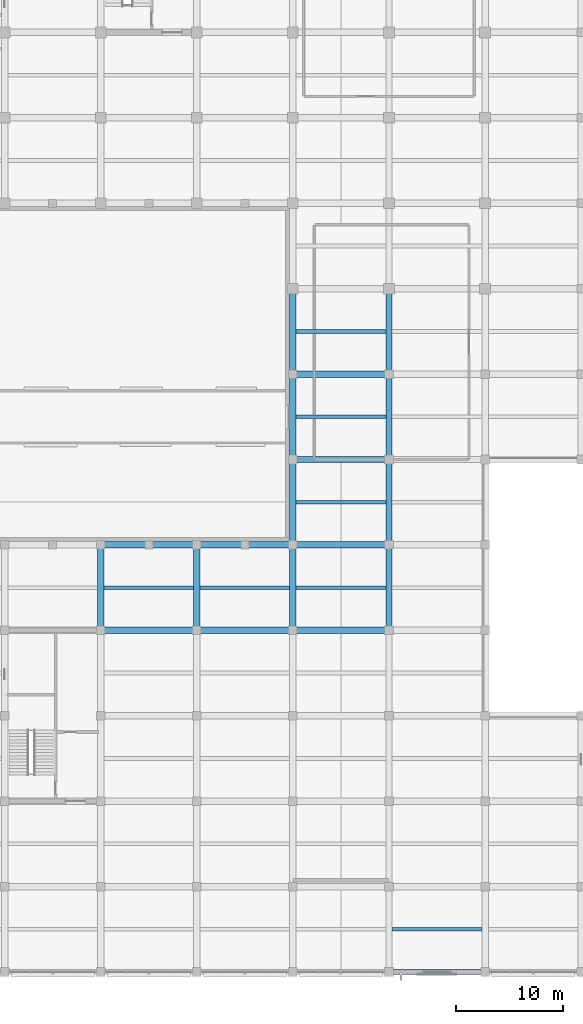
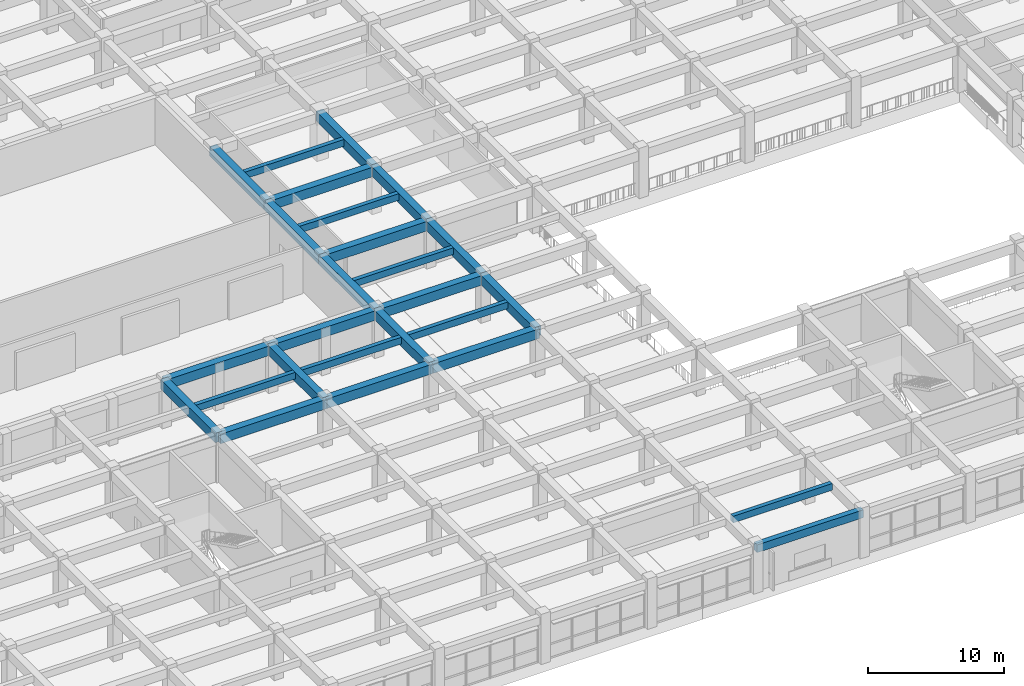
# One storey, part 8 of 50: 26 beams.
"""IFC4 building model written with IfcOpenShell, lengths in metres."""

from ifc_helpers import new_model, si_unit, direction, frame, origin, origin_2d, place, context, subcontext, project, spatial, rectangle, extrude, material, material_profile, profile_set, type_object, element, save


model = new_model("IFC4")

# Units and contexts
model_context = context("Model", 3, precision=1e-05, world=origin(), true_north=direction((0.0, 1.0)))
body_context = subcontext(model_context, "Body", "Model", "MODEL_VIEW")
ifc_project = project(units=[si_unit("LENGTHUNIT", "METRE"), si_unit("AREAUNIT", "SQUARE_METRE"), si_unit("VOLUMEUNIT", "CUBIC_METRE"), si_unit("PLANEANGLEUNIT", "RADIAN"), si_unit("MASSUNIT", "GRAM", prefix="KILO")], contexts=[model_context])

# Site, building, storey
site_placement = place(None, origin())
site = spatial("IfcSite", under=ifc_project, at=site_placement, CompositionType="ELEMENT")
building_placement = place(site_placement, origin())
building = spatial("IfcBuilding", under=site, at=building_placement, Name="Zaverband Oceanarium and Marine Research Institute", CompositionType="ELEMENT")
storey_placement = place(building_placement, frame((0.0, 0.0, 4.5)))
storey = spatial("IfcBuildingStorey", under=building, at=storey_placement, Name="L01", CompositionType="ELEMENT", Elevation=4.5)

# Beams
ifc_material = material(Name="Concrete C40/50", Category="concrete")
ifc_material_profile_1 = material_profile(ifc_material, rectangle(XDim=0.60009765625, YDim=0.85009765625, at=origin_2d()), Name="RC600x850")
ifc_profile_set_1 = profile_set([ifc_material_profile_1], Name="Concrete C40/50")
beam_type_1 = type_object("IfcBeamType", Name="BM-600x850", PredefinedType="BEAM", material=ifc_profile_set_1)
for number, where, z_axis, x_axis, name in (
    (1, (36.0, 32.0, 3.7548828125), (1.0, 0.0, 0.0), (0.0, 1.0, 0.0), "Primary floor girder BM-600x850"),
    (2, (45.0, 32.0, 3.7548828125), (1.0, 0.0, 0.0), (0.0, 1.0, 0.0), "Primary floor girder BM-600x850"),
    (3, (54.0, 32.0, 3.7548828125), (1.0, 0.0, 0.0), (0.0, 1.0, 0.0), "Primary floor girder BM-600x850"),
    (4, (36.0, 40.0, 3.7548828125), (1.0, 0.0, 0.0), (0.0, 1.0, 0.0), "Primary floor girder BM-600x850"),
    (5, (45.0, 40.0, 3.7548828125), (1.0, 0.0, 0.0), (0.0, 1.0, 0.0), "Primary floor girder BM-600x850"),
    (6, (54.0, 40.0, 3.7548828125), (1.0, 0.0, 0.0), (0.0, 1.0, 0.0), "Primary floor girder BM-600x850"),
    (7, (54.0, 48.0, 3.7548828125), (1.0, 0.0, 0.0), (0.0, 1.0, 0.0), "Primary floor girder BM-600x850"),
    (8, (54.0, 56.0, 3.7548828125), (1.0, 0.0, 0.0), (0.0, 1.0, 0.0), "Primary floor girder BM-600x850"),
):
    element("IfcBeam", number, at=place(storey_placement, frame(where, z_axis=z_axis, x_axis=x_axis)), inside=storey, type_object=beam_type_1, Name=name, PredefinedType="BEAM", context=body_context, shape_type="SweptSolid", body=[
        extrude(rectangle(XDim=0.60009765625, YDim=0.85009765625, at=origin_2d()), origin(), (0.0, 0.0, 1.0), 9.0),
    ])
for number, where, z_axis, x_axis, name in (
    (9, (36.0, 32.0, 3.7548828125), (0.0, 1.0, 0.0), (-1.0, 0.0, 0.0), "Primary floor girder BM-600x850"),
    (10, (45.0, 32.0, 3.7548828125), (0.0, 1.0, 0.0), (-1.0, 0.0, 0.0), "Primary floor girder BM-600x850"),
    (11, (54.0, 32.0, 3.7548828125), (0.0, 1.0, 0.0), (-1.0, 0.0, 0.0), "Primary floor girder BM-600x850"),
    (12, (54.0, 40.0, 3.7548828125), (0.0, 1.0, 0.0), (-1.0, 0.0, 0.0), "Primary floor girder BM-600x850"),
    (13, (54.0, 48.0, 3.7548828125), (0.0, 1.0, 0.0), (-1.0, 0.0, 0.0), "Primary floor girder BM-600x850"),
    (14, (54.0, 56.0, 3.7548828125), (0.0, 1.0, 0.0), (-1.0, 0.0, 0.0), "Primary floor girder BM-600x850"),
    (15, (63.0, 32.0, 3.7548828125), (0.0, 1.0, 0.0), (-1.0, 0.0, 0.0), "Primary floor girder BM-600x850"),
    (16, (63.0, 40.0, 3.7548828125), (0.0, 1.0, 0.0), (-1.0, 0.0, 0.0), "Primary floor girder BM-600x850"),
    (17, (63.0, 48.0, 3.7548828125), (0.0, 1.0, 0.0), (-1.0, 0.0, 0.0), "Primary floor girder BM-600x850"),
    (18, (63.0, 56.0, 3.7548828125), (0.0, 1.0, 0.0), (-1.0, 0.0, 0.0), "Primary floor girder BM-600x850"),
):
    element("IfcBeam", number, at=place(storey_placement, frame(where, z_axis=z_axis, x_axis=x_axis)), inside=storey, type_object=beam_type_1, Name=name, PredefinedType="BEAM", context=body_context, shape_type="SweptSolid", body=[
        extrude(rectangle(XDim=0.60009765625, YDim=0.85009765625, at=origin_2d()), origin(), (0.0, 0.0, 1.0), 8.0),
    ])
ifc_material_profile_2 = material_profile(ifc_material, rectangle(XDim=0.35009765625, YDim=0.60009765625, at=origin_2d()), Name="RC350x600")
ifc_profile_set_2 = profile_set([ifc_material_profile_2], Name="Concrete C40/50")
beam_type_2 = type_object("IfcBeamType", Name="JST-350x600", PredefinedType="JOIST", material=ifc_profile_set_2)
for number, where, z_axis, x_axis, name in (
    (19, (36.300048828125, 36.0, 3.8798828125), (1.0, 0.0, 0.0), (0.0, 1.0, 0.0), "Secondary floor joist JST-350x600"),
    (20, (45.300048828125, 36.0, 3.8798828125), (1.0, 0.0, 0.0), (0.0, 1.0, 0.0), "Secondary floor joist JST-350x600"),
    (21, (54.300048828125, 36.0, 3.8798828125), (1.0, 0.0, 0.0), (0.0, 1.0, 0.0), "Secondary floor joist JST-350x600"),
    (22, (54.300048828125, 44.0, 3.8798828125), (1.0, 0.0, 0.0), (0.0, 1.0, 0.0), "Secondary floor joist JST-350x600"),
    (23, (54.300048828125, 52.0, 3.8798828125), (1.0, 0.0, 0.0), (0.0, 1.0, 0.0), "Secondary floor joist JST-350x600"),
    (24, (54.300048828125, 60.0, 3.8798828125), (1.0, 0.0, 0.0), (0.0, 1.0, 0.0), "Secondary floor joist JST-350x600"),
    (25, (63.300048828125, 4.0, 3.8798828125), (1.0, 0.0, 0.0), (0.0, 1.0, 0.0), "Secondary floor joist JST-350x600"),
):
    element("IfcBeam", number, at=place(storey_placement, frame(where, z_axis=z_axis, x_axis=x_axis)), inside=storey, type_object=beam_type_2, Name=name, PredefinedType="JOIST", context=body_context, shape_type="SweptSolid", body=[
        extrude(rectangle(XDim=0.35009765625, YDim=0.60009765625, at=origin_2d()), origin(), (0.0, 0.0, 1.0), 8.39990234375),
    ])
ifc_material_profile_3 = material_profile(ifc_material, rectangle(XDim=0.449951171875, YDim=0.699951171875, at=origin_2d()), Name="RC450x700")
ifc_profile_set_3 = profile_set([ifc_material_profile_3], Name="Concrete C40/50")
beam_type_3 = type_object("IfcBeamType", Name="SPN-450x700", PredefinedType="SPANDREL", material=ifc_profile_set_3)
beam_placement = place(storey_placement, frame((63.0, 0.0, 3.830078125), z_axis=(1.0, 0.0, 0.0), x_axis=(0.0, 1.0, 0.0)))
element("IfcBeam", 26, at=beam_placement, inside=storey, type_object=beam_type_3, Name="Perimeter spandrel beam SPN-450x700", PredefinedType="SPANDREL", context=body_context, shape_type="SweptSolid", body=[
    extrude(rectangle(XDim=0.449951171875, YDim=0.699951171875, at=origin_2d()), origin(), (0.0, 0.0, 1.0), 9.0),
])

save(model, "model.ifc")
